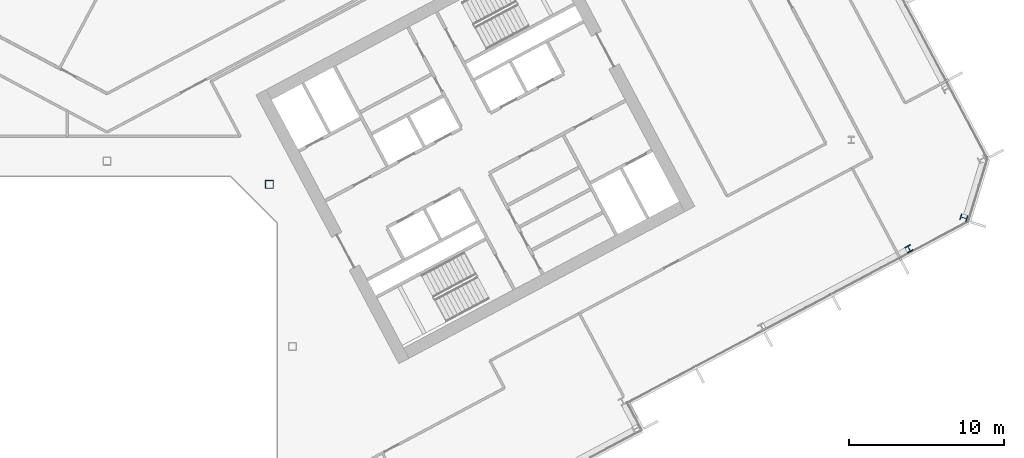
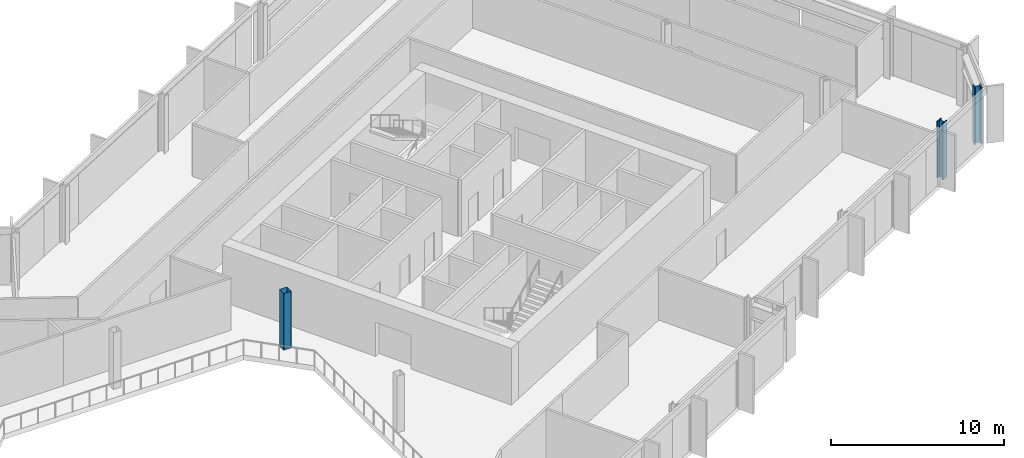
# One storey, part 6 of 28: 3 columns.
"""IFC4 building model written with IfcOpenShell, lengths in metres."""

from ifc_helpers import new_model, si_unit, direction, frame, origin, origin_2d, place, context, subcontext, project, spatial, hollow_rectangle, i_section, extrude, material, material_profile, profile_set, type_object, element, save


model = new_model("IFC4")

# Units and contexts
model_context = context("Model", 3, precision=1e-05, world=origin(), true_north=direction((0.0, 1.0)))
body_context = subcontext(model_context, "Body", "Model", "MODEL_VIEW")
ifc_project = project(units=[si_unit("LENGTHUNIT", "METRE"), si_unit("AREAUNIT", "SQUARE_METRE"), si_unit("VOLUMEUNIT", "CUBIC_METRE"), si_unit("PLANEANGLEUNIT", "RADIAN"), si_unit("MASSUNIT", "GRAM", prefix="KILO")], contexts=[model_context])

# Site, building, storey
site_placement = place(None, origin())
site = spatial("IfcSite", under=ifc_project, at=site_placement, CompositionType="ELEMENT")
building_placement = place(site_placement, origin())
building = spatial("IfcBuilding", under=site, at=building_placement, Name="Cormorant Relay Tower", CompositionType="ELEMENT")
storey_placement = place(building_placement, frame((0.0, 0.0, 154.199951171875)))
storey = spatial("IfcBuildingStorey", under=building, at=storey_placement, Name="L32", CompositionType="ELEMENT", Elevation=154.199951171875)

# Columns
ifc_material_1 = material(Name="Steel ASTM A500 Grade C (Fy 345 MPa)", Category="steel")
ifc_material_profile_1 = material_profile(ifc_material_1, hollow_rectangle(XDim=0.508056640625, YDim=0.508056640625, WallThickness=0.01171875, InnerFilletRadius=0.005859375, OuterFilletRadius=0.017822265625, at=origin_2d()), Name="HSS508x508x12")
ifc_profile_set_1 = profile_set([ifc_material_profile_1], Name="Steel ASTM A500 Grade C (Fy 345 MPa)")
column_type_1 = type_object("IfcColumnType", Name="Column HSS508x508x12", PredefinedType="COLUMN", material=ifc_profile_set_1)
column_1_placement = place(storey_placement, frame((10.5, 10.5, 0.0), z_axis=(0.0, 0.0, 1.0), x_axis=(1.0, 0.0, 0.0)))
element("IfcColumn", 1, at=column_1_placement, inside=storey, type_object=column_type_1, Name="Column L32-024", PredefinedType="COLUMN", context=body_context, shape_type="SweptSolid", body=[
    extrude(hollow_rectangle(XDim=0.508056640625, YDim=0.508056640625, WallThickness=0.01171875, InnerFilletRadius=0.005859375, OuterFilletRadius=0.017822265625, at=origin_2d()), origin(), (0.0, 0.0, 1.0), 4.0),
])
ifc_material_2 = material(Name="Steel ASTM A992 (Fy 345 MPa)", Category="steel")
ifc_material_profile_2 = material_profile(ifc_material_2, i_section(OverallWidth=0.41162109375, OverallDepth=0.434326171875, WebThickness=0.035888671875, FlangeThickness=0.057373046875, FilletRadius=0.01513671875, at=origin_2d()), Name="W360x463")
ifc_profile_set_2 = profile_set([ifc_material_profile_2], Name="Steel ASTM A992 (Fy 345 MPa)")
column_type_2 = type_object("IfcColumnType", Name="Column W360x463", PredefinedType="COLUMN", material=ifc_profile_set_2)
column_2_placement = place(storey_placement, frame((51.905029296875, 6.327880859375, 0.0), z_axis=(0.0, 0.0, 1.0), x_axis=(0.882947592859, 0.469471562786, 0.0)))
element("IfcColumn", 2, at=column_2_placement, inside=storey, type_object=column_type_2, Name="Column L32-020", PredefinedType="COLUMN", context=body_context, shape_type="SweptSolid", body=[
    extrude(i_section(OverallWidth=0.41162109375, OverallDepth=0.434326171875, WebThickness=0.035888671875, FlangeThickness=0.057373046875, FilletRadius=0.01513671875, at=origin_2d()), origin(), (0.0, 0.0, 1.0), 4.0),
])
ifc_material_3 = material(Name="Steel ASTM A992 (Fy 345 MPa)", Category="steel")
ifc_material_profile_3 = material_profile(ifc_material_3, i_section(OverallWidth=0.42431640625, OverallDepth=0.47509765625, WebThickness=0.0478515625, FlangeThickness=0.0771484375, FilletRadius=0.014892578125, at=origin_2d()), Name="W360x634")
ifc_profile_set_3 = profile_set([ifc_material_profile_3], Name="Steel ASTM A992 (Fy 345 MPa)")
column_type_3 = type_object("IfcColumnType", Name="Column W360x634", PredefinedType="COLUMN", material=ifc_profile_set_3)
column_3_placement = place(storey_placement, frame((55.446044921875, 8.3291015625, 0.0), z_axis=(0.0, 0.0, 1.0), x_axis=(0.292371704723, 0.956304755963, 0.0)))
element("IfcColumn", 3, at=column_3_placement, inside=storey, type_object=column_type_3, Name="Column L32-021", PredefinedType="COLUMN", context=body_context, shape_type="SweptSolid", body=[
    extrude(i_section(OverallWidth=0.42431640625, OverallDepth=0.47509765625, WebThickness=0.0478515625, FlangeThickness=0.0771484375, FilletRadius=0.014892578125, at=origin_2d()), origin(), (0.0, 0.0, 1.0), 4.0),
])

save(model, "model.ifc")
